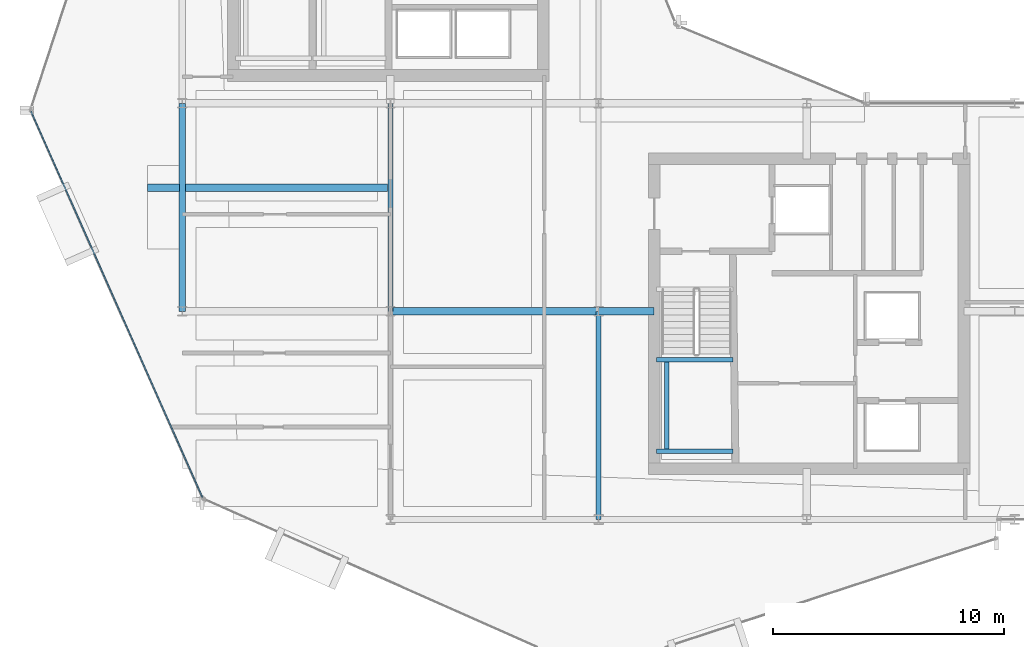
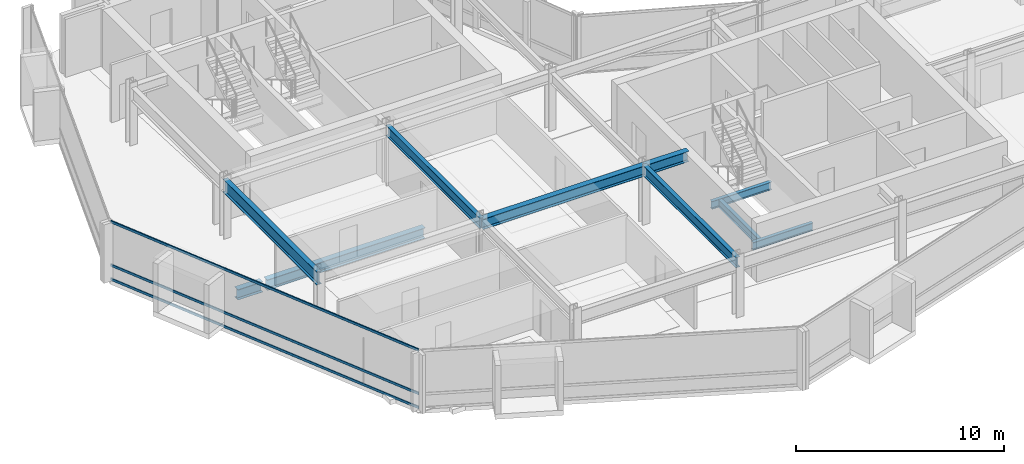
# One storey, part 5 of 27: 10 beams, 3 members, 1 element without a shape of its own.
"""IFC4 building model written with IfcOpenShell, lengths in metres."""

from ifc_helpers import new_model, si_unit, direction, frame, origin, origin_2d, place, context, subcontext, project, spatial, hollow_rectangle, i_section, extrude, material, layer, layer_set, material_profile, profile_set, type_object, element, aggregate, save


model = new_model("IFC4")

# Units and contexts
model_context = context("Model", 3, precision=1e-05, world=origin(), true_north=direction((0.0, 1.0)))
body_context = subcontext(model_context, "Body", "Model", "MODEL_VIEW")
ifc_project = project(units=[si_unit("LENGTHUNIT", "METRE"), si_unit("AREAUNIT", "SQUARE_METRE"), si_unit("VOLUMEUNIT", "CUBIC_METRE"), si_unit("PLANEANGLEUNIT", "RADIAN"), si_unit("MASSUNIT", "GRAM", prefix="KILO")], contexts=[model_context])

# Site, building, storey
site_placement = place(None, origin())
site = spatial("IfcSite", under=ifc_project, at=site_placement, CompositionType="ELEMENT")
building_placement = place(site_placement, origin())
building = spatial("IfcBuilding", under=site, at=building_placement, Name="Solvaryn Broadcast Tower", CompositionType="ELEMENT")
storey_placement = place(building_placement, frame((0.0, 0.0, 177.89990234375)))
storey = spatial("IfcBuildingStorey", under=building, at=storey_placement, Name="L44", CompositionType="ELEMENT", Elevation=177.89990234375)

# Beams
ifc_material_1 = material(Name="Steel ASTM A992 Grade 50", Category="steel")
ifc_material_profile_1 = material_profile(ifc_material_1, i_section(OverallWidth=0.323974609375, OverallDepth=0.611083984375, WebThickness=0.0126953125, FlangeThickness=0.01904296875, FilletRadius=0.014892578125, at=origin_2d()))
ifc_profile_set_1 = profile_set([ifc_material_profile_1], Name="Steel ASTM A992 Grade 50")
beam_type_1 = type_object("IfcBeamType", Name="BM-B1-W24X104", PredefinedType="BEAM", material=ifc_profile_set_1)
beam_1_placement = place(storey_placement, frame((17.875, 23.35009765625, -0.58544921875), z_axis=(-1.0, 0.0, 0.0), x_axis=(0.0, -1.0, 0.0)))
element("IfcBeam", 1, at=beam_1_placement, inside=storey, type_object=beam_type_1, Name="L44 Bay-Box Back-Span Beam 1", PredefinedType="BEAM", context=body_context, shape_type="SweptSolid", body=[
    extrude(i_section(OverallWidth=0.323974609375, OverallDepth=0.611083984375, WebThickness=0.0126953125, FlangeThickness=0.01904296875, FilletRadius=0.014892578125, at=origin_2d()), origin(), (0.0, 0.0, 1.0), 8.75),
])
beam_2_placement = place(storey_placement, frame((18.0, 18.0, 3.114501953125), z_axis=(1.0, 0.0, 0.0), x_axis=(0.0, 1.0, 0.0)))
element("IfcBeam", 2, at=beam_2_placement, inside=storey, type_object=beam_type_1, Name="L44 Primary Beam X (18-27 @ Y=18)", PredefinedType="BEAM", context=body_context, shape_type="SweptSolid", body=[
    extrude(i_section(OverallWidth=0.323974609375, OverallDepth=0.611083984375, WebThickness=0.0126953125, FlangeThickness=0.01904296875, FilletRadius=0.014892578125, at=origin_2d()), origin(), (0.0, 0.0, 1.0), 9.0),
])
beam_3_placement = place(storey_placement, frame((27.0, 18.0, 3.114501953125), z_axis=(1.0, 0.0, 0.0), x_axis=(0.0, 1.0, 0.0)))
element("IfcBeam", 3, at=beam_3_placement, inside=storey, type_object=beam_type_1, Name="L44 Core Tie Beam CTE4", PredefinedType="BEAM", context=body_context, shape_type="SweptSolid", body=[
    extrude(i_section(OverallWidth=0.323974609375, OverallDepth=0.611083984375, WebThickness=0.0126953125, FlangeThickness=0.01904296875, FilletRadius=0.014892578125, at=origin_2d()), origin(), (0.0, 0.0, 1.0), 2.39990234375),
])
ifc_material_2 = material(Name="Steel ASTM A992 Grade 50", Category="steel")
ifc_material_profile_2 = material_profile(ifc_material_2, i_section(OverallWidth=0.22802734375, OverallDepth=0.60791015625, WebThickness=0.01123046875, FlangeThickness=0.017333984375, FilletRadius=0.014892578125, at=origin_2d()))
ifc_profile_set_2 = profile_set([ifc_material_profile_2], Name="Steel ASTM A992 Grade 50")
beam_type_2 = type_object("IfcBeamType", Name="BM-B2-W24X76", PredefinedType="BEAM", material=ifc_profile_set_2)
for number, where, z_axis, x_axis, name in (
    (4, (18.0, 18.0, 3.1162109375), (0.0, 1.0, 0.0), (-1.0, 0.0, 0.0), "L44 Primary Beam Y (18-27 @ X=18)"),
    (5, (27.0, 9.0, 3.1162109375), (0.0, 1.0, 0.0), (-1.0, 0.0, 0.0), "L44 Primary Beam Y (9-18 @ X=27)"),
):
    element("IfcBeam", number, at=place(storey_placement, frame(where, z_axis=z_axis, x_axis=x_axis)), inside=storey, type_object=beam_type_2, Name=name, PredefinedType="BEAM", context=body_context, shape_type="SweptSolid", body=[
        extrude(i_section(OverallWidth=0.22802734375, OverallDepth=0.60791015625, WebThickness=0.01123046875, FlangeThickness=0.017333984375, FilletRadius=0.014892578125, at=origin_2d()), origin(), (0.0, 0.0, 1.0), 9.0),
    ])
ifc_material_3 = material(Name="Steel ASTM A992 Grade 50", Category="steel")
ifc_material_profile_3 = material_profile(ifc_material_3, i_section(OverallWidth=0.18994140625, OverallDepth=0.45703125, WebThickness=0.009033203125, FlangeThickness=0.014404296875, FilletRadius=0.011962890625, at=origin_2d()))
ifc_profile_set_3 = profile_set([ifc_material_profile_3], Name="Steel ASTM A992 Grade 50")
beam_type_3 = type_object("IfcBeamType", Name="BM-B4-W18X50", PredefinedType="BEAM", material=ifc_profile_set_3)
for number, where, z_axis, x_axis, name in (
    (6, (29.5, 11.949951171875, 1.421630859375), (1.0, 0.0, 0.0), (0.0, 1.0, 0.0), "L44 ST3 Landing Support Beam 1A"),
    (7, (29.5, 15.909912109375, 1.421630859375), (1.0, 0.0, 0.0), (0.0, 1.0, 0.0), "L44 ST3 Landing Support Beam 1B"),
):
    element("IfcBeam", number, at=place(storey_placement, frame(where, z_axis=z_axis, x_axis=x_axis)), inside=storey, type_object=beam_type_3, Name=name, PredefinedType="BEAM", context=body_context, shape_type="SweptSolid", body=[
        extrude(i_section(OverallWidth=0.18994140625, OverallDepth=0.45703125, WebThickness=0.009033203125, FlangeThickness=0.014404296875, FilletRadius=0.011962890625, at=origin_2d()), origin(), (0.0, 0.0, 1.0), 3.320068359375),
    ])
beam_4_placement = place(storey_placement, frame((29.949951171875, 11.949951171875, 1.421630859375), z_axis=(0.0, 1.0, 0.0), x_axis=(-1.0, 0.0, 0.0)))
element("IfcBeam", 8, at=beam_4_placement, inside=storey, type_object=beam_type_3, Name="L44 ST3 Landing Cross Stringer 1C", PredefinedType="BEAM", context=body_context, shape_type="SweptSolid", body=[
    extrude(i_section(OverallWidth=0.18994140625, OverallDepth=0.45703125, WebThickness=0.009033203125, FlangeThickness=0.014404296875, FilletRadius=0.011962890625, at=origin_2d()), origin(), (0.0, 0.0, 1.0), 3.9599609375),
])
ifc_material_4 = material(Name="Steel ASTM A992 Grade 50", Category="steel")
ifc_material_profile_4 = material_profile(ifc_material_4, i_section(OverallWidth=0.323974609375, OverallDepth=0.611083984375, WebThickness=0.0126953125, FlangeThickness=0.01904296875, FilletRadius=0.014892578125, at=origin_2d()))
ifc_profile_set_4 = profile_set([ifc_material_profile_4], Name="Steel ASTM A992 Grade 50")
beam_type_4 = type_object("IfcBeamType", Name="BM-CANT-TER", PredefinedType="BEAM", material=ifc_profile_set_4)
beam_5_placement = place(storey_placement, frame((8.875, 23.35009765625, -0.58544921875), z_axis=(-1.0, 0.0, 0.0), x_axis=(0.0, -1.0, 0.0)))
element("IfcBeam", 9, at=beam_5_placement, inside=storey, type_object=beam_type_4, Name="L44 Bay-Box Cantilever Bracket 1", PredefinedType="BEAM", context=body_context, shape_type="SweptSolid", body=[
    extrude(i_section(OverallWidth=0.323974609375, OverallDepth=0.611083984375, WebThickness=0.0126953125, FlangeThickness=0.01904296875, FilletRadius=0.014892578125, at=origin_2d()), origin(), (0.0, 0.0, 1.0), 1.375),
])
ifc_material_5 = material(Name="Steel ASTM A992 Grade 50", Category="steel")
ifc_material_profile_5 = material_profile(ifc_material_5, i_section(OverallWidth=0.26708984375, OverallDepth=0.76611328125, WebThickness=0.014892578125, FlangeThickness=0.023681640625, FilletRadius=0.01806640625, at=origin_2d()))
ifc_profile_set_5 = profile_set([ifc_material_profile_5], Name="Steel ASTM A992 Grade 50")
beam_type_5 = type_object("IfcBeamType", Name="BM-SP2-W30X124", PredefinedType="USERDEFINED", material=ifc_profile_set_5)
beam_6_placement = place(storey_placement, frame((9.0, 18.0, 3.037109375), z_axis=(0.0, 1.0, 0.0), x_axis=(-1.0, 0.0, 0.0)))
element("IfcBeam", 10, at=beam_6_placement, inside=storey, type_object=beam_type_5, Name="L44 Spandrel Beam Y (18-27 @ X=9)", ObjectType="SPANDREL", PredefinedType="USERDEFINED", context=body_context, shape_type="SweptSolid", body=[
    extrude(i_section(OverallWidth=0.26708984375, OverallDepth=0.76611328125, WebThickness=0.014892578125, FlangeThickness=0.023681640625, FilletRadius=0.01806640625, at=origin_2d()), origin(), (0.0, 0.0, 1.0), 9.0),
])

# Curtain wall, members
ifc_material_6 = material(Name="Aluminium and Terracotta Unitised Curtain Wall", Category="masonry")
ifc_layer = layer(ifc_material_6, 0.199951171875)
ifc_layer_set = layer_set([ifc_layer], Name="CW-SYS2-LOWMID")
curtain_wall_type = type_object("IfcCurtainWallType", Name="CW-SYS2-LOWMID", PredefinedType="NOTDEFINED", material=ifc_layer_set)
curtain_wall_placement = place(storey_placement, origin())
curtain_wall = element("IfcCurtainWall", 11, at=curtain_wall_placement, inside=storey, type_object=curtain_wall_type, Name="L44 Curtain Wall DR2", PredefinedType="NOTDEFINED")
ifc_material_7 = material(Name="Anodised Aluminium 6063-T6", Category="aluminium")
ifc_material_profile_6 = material_profile(ifc_material_7, hollow_rectangle(XDim=0.06494140625, YDim=0.14990234375, WallThickness=0.00390625, InnerFilletRadius=0.00390625, OuterFilletRadius=0.008056640625, at=origin_2d()))
ifc_profile_set_6 = profile_set([ifc_material_profile_6], Name="Anodised Aluminium 6063-T6")
member_type = type_object("IfcMemberType", Name="CW-TRN-150", PredefinedType="USERDEFINED", material=ifc_profile_set_6)
member_1_placement = place(storey_placement, frame((2.457275390625, 26.651123046875, 0.030029296875), z_axis=(0.405901653299, -0.913916761992, 0.0), x_axis=(0.913916761992, 0.405901653299, 0.0)))
member_1 = element("IfcMember", 12, at=member_1_placement, type_object=member_type, Name="CWS2 transom 1.1", ObjectType="TRANSOM", PredefinedType="USERDEFINED", context=body_context, shape_type="SweptSolid", body=[
    extrude(hollow_rectangle(XDim=0.06494140625, YDim=0.14990234375, WallThickness=0.00390625, InnerFilletRadius=0.00390625, OuterFilletRadius=0.008056640625, at=origin_2d()), origin(), (0.0, 0.0, 1.0), 18.27099609375),
])
member_2_placement = place(storey_placement, frame((2.457275390625, 26.651123046875, 0.85009765625), z_axis=(0.405901653299, -0.913916761992, 0.0), x_axis=(0.913916761992, 0.405901653299, 0.0)))
member_2 = element("IfcMember", 13, at=member_2_placement, type_object=member_type, Name="CWS2 transom 1.2", ObjectType="TRANSOM", PredefinedType="USERDEFINED", context=body_context, shape_type="SweptSolid", body=[
    extrude(hollow_rectangle(XDim=0.06494140625, YDim=0.14990234375, WallThickness=0.00390625, InnerFilletRadius=0.00390625, OuterFilletRadius=0.008056640625, at=origin_2d()), origin(), (0.0, 0.0, 1.0), 18.27099609375),
])
member_3_placement = place(storey_placement, frame((2.457275390625, 26.651123046875, 3.39013671875), z_axis=(0.405901653299, -0.913916761992, 0.0), x_axis=(0.913916761992, 0.405901653299, 0.0)))
member_3 = element("IfcMember", 14, at=member_3_placement, type_object=member_type, Name="CWS2 transom 1.3", ObjectType="TRANSOM", PredefinedType="USERDEFINED", context=body_context, shape_type="SweptSolid", body=[
    extrude(hollow_rectangle(XDim=0.06494140625, YDim=0.14990234375, WallThickness=0.00390625, InnerFilletRadius=0.00390625, OuterFilletRadius=0.008056640625, at=origin_2d()), origin(), (0.0, 0.0, 1.0), 18.27099609375),
])
aggregate(curtain_wall, [member_1, member_2, member_3])

save(model, "model.ifc")
